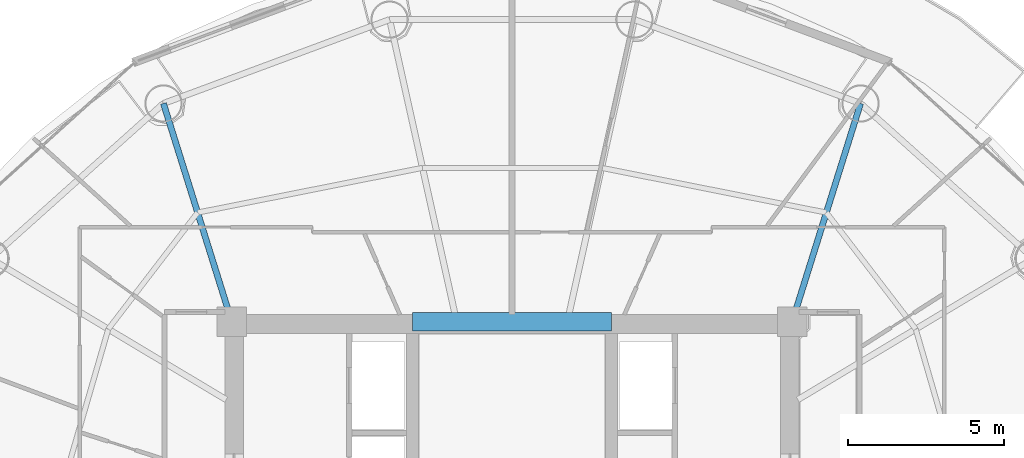
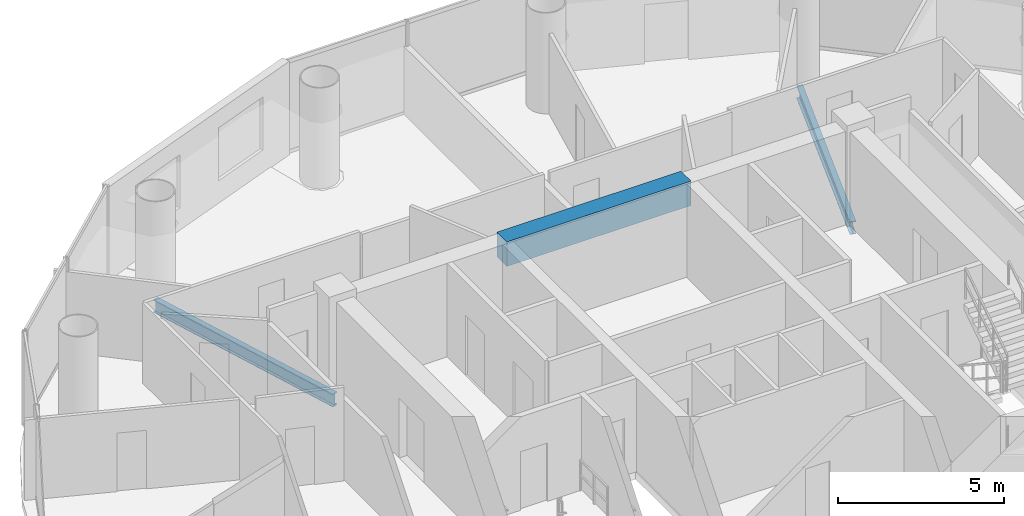
# One storey, part 9 of 27: 3 beams.
"""IFC4 building model written with IfcOpenShell, lengths in metres."""

from ifc_helpers import new_model, si_unit, direction, frame, origin, origin_2d, place, context, subcontext, project, spatial, rectangle, i_section, extrude, material, material_profile, profile_set, type_object, element, save


model = new_model("IFC4")

# Units and contexts
model_context = context("Model", 3, precision=1e-05, world=origin(), true_north=direction((-0.2419218956, 0.970295726276)))
body_context = subcontext(model_context, "Body", "Model", "MODEL_VIEW")
ifc_project = project(units=[si_unit("LENGTHUNIT", "METRE"), si_unit("AREAUNIT", "SQUARE_METRE"), si_unit("VOLUMEUNIT", "CUBIC_METRE"), si_unit("PLANEANGLEUNIT", "RADIAN"), si_unit("MASSUNIT", "GRAM", prefix="KILO")], contexts=[model_context])

# Site, building, storey
site_placement = place(None, origin())
site = spatial("IfcSite", under=ifc_project, at=site_placement, CompositionType="ELEMENT")
building_placement = place(site_placement, origin())
building = spatial("IfcBuilding", under=site, at=building_placement, Name="Cobrevalo Terracotta Tower", CompositionType="ELEMENT")
storey_placement = place(building_placement, frame((0.0, 0.0, 194.89990234375)))
storey = spatial("IfcBuildingStorey", under=building, at=storey_placement, Name="L51", CompositionType="ELEMENT", Elevation=194.89990234375)

# Beams
ifc_material_1 = material(Name="Concrete C60", Category="concrete")
ifc_material_profile_1 = material_profile(ifc_material_1, rectangle(XDim=0.60009765625, YDim=0.89990234375, at=origin_2d()), Name="RC CB 600x900")
ifc_profile_set_1 = profile_set([ifc_material_profile_1], Name="Concrete C60")
beam_type_1 = type_object("IfcBeamType", Name="Structural Beam RC CB 600x900 (Concrete C60)", PredefinedType="BEAM", material=ifc_profile_set_1)
beam_placement = place(storey_placement, frame((34.800048828125, 34.800048828125, 2.985107421875), z_axis=(1.0, 0.0, 0.0), x_axis=(0.0, 1.0, 0.0)))
element("IfcBeam", 1, at=beam_placement, inside=storey, type_object=beam_type_1, Name="L51 core coupling beam 2", PredefinedType="BEAM", context=body_context, shape_type="SweptSolid", body=[
    extrude(rectangle(XDim=0.60009765625, YDim=0.89990234375, at=origin_2d()), origin(), (0.0, 0.0, 1.0), 6.39990234375),
])
ifc_material_2 = material(Name="Steel S355", Category="steel")
ifc_material_profile_2 = material_profile(ifc_material_2, i_section(OverallWidth=0.194091796875, OverallDepth=0.468994140625, WebThickness=0.011474609375, FlangeThickness=0.0205078125, at=origin_2d()), Name="W 460x106")
ifc_profile_set_2 = profile_set([ifc_material_profile_2], Name="Steel S355")
beam_type_2 = type_object("IfcBeamType", Name="Structural Beam W 460x106 (Steel S355)", PredefinedType="BEAM", material=ifc_profile_set_2)
for number, where, z_axis, x_axis, name in (
    (2, (49.19482421875, 41.80810546875, -0.49951171875), (-0.298871212691, -0.954293454984, 0.0), (0.954293454984, -0.298871212691, 0.0), "L51 radial floor girder 03"),
    (3, (26.80517578125, 41.80810546875, -0.49951171875), (0.298871212691, -0.954293454984, 0.0), (0.954293454984, 0.298871212691, 0.0), "L51 radial floor girder 06"),
):
    element("IfcBeam", number, at=place(storey_placement, frame(where, z_axis=z_axis, x_axis=x_axis)), inside=storey, type_object=beam_type_2, Name=name, PredefinedType="BEAM", context=body_context, shape_type="SweptSolid", body=[
        extrude(i_section(OverallWidth=0.194091796875, OverallDepth=0.468994140625, WebThickness=0.011474609375, FlangeThickness=0.0205078125, at=origin_2d()), origin(), (0.0, 0.0, 1.0), 7.34375),
    ])

save(model, "model.ifc")
